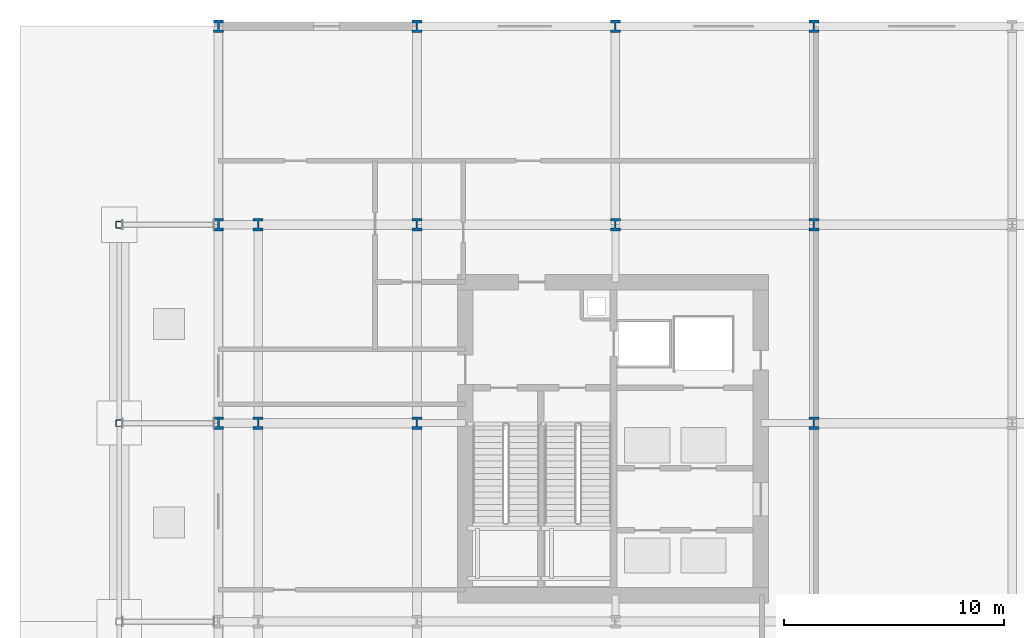
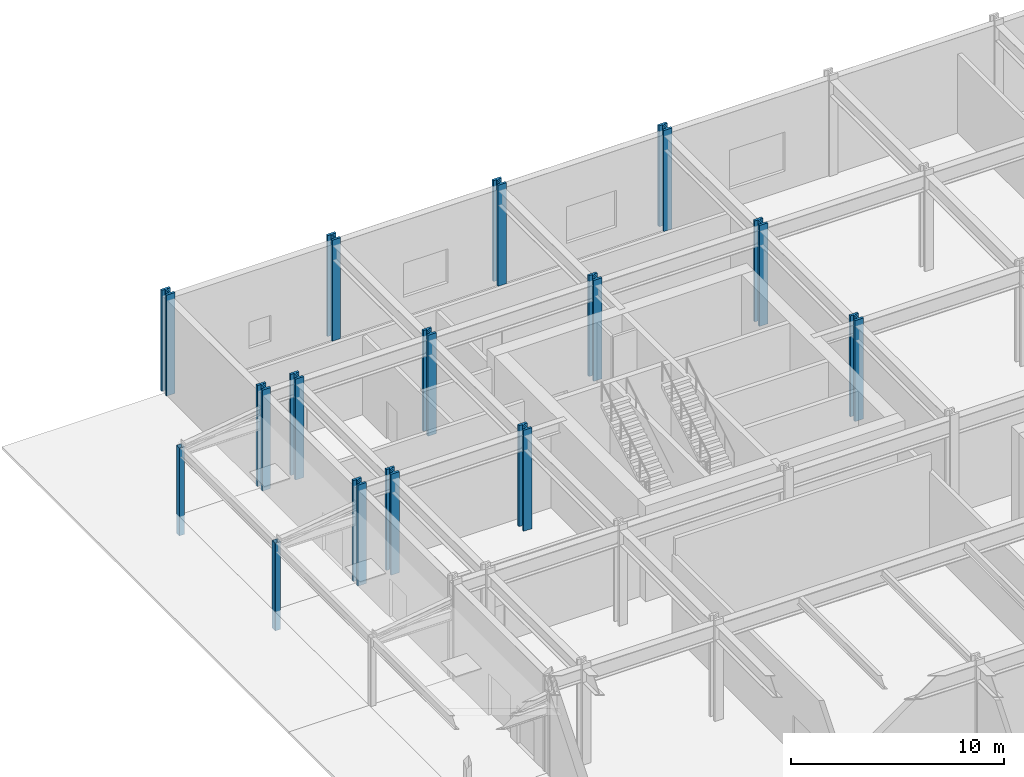
# One storey, part 4 of 19: 15 columns.
"""IFC4 building model written with IfcOpenShell, lengths in metres."""

from ifc_helpers import new_model, si_unit, direction, frame, origin, origin_2d, place, context, subcontext, project, spatial, hollow_rectangle, i_section, extrude, material, material_profile, profile_set, type_object, element, save


model = new_model("IFC4")

# Units and contexts
model_context = context("Model", 3, precision=1e-05, world=origin(), true_north=direction((0.0, 1.0)))
body_context = subcontext(model_context, "Body", "Model", "MODEL_VIEW")
ifc_project = project(units=[si_unit("LENGTHUNIT", "METRE"), si_unit("AREAUNIT", "SQUARE_METRE"), si_unit("VOLUMEUNIT", "CUBIC_METRE"), si_unit("PLANEANGLEUNIT", "RADIAN"), si_unit("MASSUNIT", "GRAM", prefix="KILO")], contexts=[model_context])

# Site, building, storey
site_placement = place(None, origin())
site = spatial("IfcSite", under=ifc_project, at=site_placement, CompositionType="ELEMENT")
building_placement = place(site_placement, origin())
building = spatial("IfcBuilding", under=site, at=building_placement, Name="Solvaryn Broadcast Tower", CompositionType="ELEMENT")
storey_placement = place(building_placement, origin())
storey = spatial("IfcBuildingStorey", under=building, at=storey_placement, Name="L00", CompositionType="ELEMENT", Elevation=0.0)

# Columns
ifc_material_1 = material(Name="Steel ASTM A913 Grade 65", Category="steel")
ifc_material_profile_1 = material_profile(ifc_material_1, i_section(OverallWidth=0.4541015625, OverallDepth=0.569091796875, WebThickness=0.077880859375, FlangeThickness=0.124755859375, FilletRadius=0.014892578125, at=origin_2d()))
ifc_profile_set_1 = profile_set([ifc_material_profile_1], Name="Steel ASTM A913 Grade 65")
column_type_1 = type_object("IfcColumnType", Name="COL-C01E-W14X730", PredefinedType="COLUMN", material=ifc_profile_set_1)
for number, where, z_axis, x_axis, name in (
    (1, (0.0, 36.0, 0.0), (0.0, 0.0, 1.0), (1.0, 0.0, 0.0), "L00 Column (0.0, 36.0)"),
    (2, (0.0, 45.0, 0.0), (0.0, 0.0, 1.0), (1.0, 0.0, 0.0), "L00 Column (0.0, 45.0)"),
    (3, (0.0, 54.0, 0.0), (0.0, 0.0, 1.0), (1.0, 0.0, 0.0), "L00 Column (0.0, 54.0)"),
    (4, (9.0, 54.0, 0.0), (0.0, 0.0, 1.0), (1.0, 0.0, 0.0), "L00 Column (9.0, 54.0)"),
    (5, (18.0, 54.0, 0.0), (0.0, 0.0, 1.0), (1.0, 0.0, 0.0), "L00 Column (18.0, 54.0)"),
    (6, (27.0, 54.0, 0.0), (0.0, 0.0, 1.0), (1.0, 0.0, 0.0), "L00 Column (27.0, 54.0)"),
    (7, (1.800048828125, 36.0, 0.0), (0.0, 0.0, 1.0), (1.0, 0.0, 0.0), "L00 Column (1.8, 36.0)"),
    (8, (1.800048828125, 45.0, 0.0), (0.0, 0.0, 1.0), (1.0, 0.0, 0.0), "L00 Column (1.8, 45.0)"),
):
    element("IfcColumn", number, at=place(storey_placement, frame(where, z_axis=z_axis, x_axis=x_axis)), inside=storey, type_object=column_type_1, Name=name, PredefinedType="COLUMN", context=body_context, shape_type="SweptSolid", body=[
        extrude(i_section(OverallWidth=0.4541015625, OverallDepth=0.569091796875, WebThickness=0.077880859375, FlangeThickness=0.124755859375, FilletRadius=0.014892578125, at=origin_2d()), origin(), (0.0, 0.0, 1.0), 5.800048828125),
    ])
ifc_material_2 = material(Name="Steel ASTM A913 Grade 65", Category="steel")
ifc_material_profile_2 = material_profile(ifc_material_2, i_section(OverallWidth=0.4541015625, OverallDepth=0.569091796875, WebThickness=0.077880859375, FlangeThickness=0.124755859375, FilletRadius=0.014892578125, at=origin_2d()))
ifc_profile_set_2 = profile_set([ifc_material_profile_2], Name="Steel ASTM A913 Grade 65")
column_type_2 = type_object("IfcColumnType", Name="COL-C01I-W14X730", PredefinedType="COLUMN", material=ifc_profile_set_2)
for number, where, z_axis, x_axis, name in (
    (9, (9.0, 36.0, 0.0), (0.0, 0.0, 1.0), (1.0, 0.0, 0.0), "L00 Column (9.0, 36.0)"),
    (10, (9.0, 45.0, 0.0), (0.0, 0.0, 1.0), (1.0, 0.0, 0.0), "L00 Column (9.0, 45.0)"),
    (11, (18.0, 45.0, 0.0), (0.0, 0.0, 1.0), (1.0, 0.0, 0.0), "L00 Column (18.0, 45.0)"),
    (12, (27.0, 36.0, 0.0), (0.0, 0.0, 1.0), (1.0, 0.0, 0.0), "L00 Column (27.0, 36.0)"),
    (13, (27.0, 45.0, 0.0), (0.0, 0.0, 1.0), (1.0, 0.0, 0.0), "L00 Column (27.0, 45.0)"),
):
    element("IfcColumn", number, at=place(storey_placement, frame(where, z_axis=z_axis, x_axis=x_axis)), inside=storey, type_object=column_type_2, Name=name, PredefinedType="COLUMN", context=body_context, shape_type="SweptSolid", body=[
        extrude(i_section(OverallWidth=0.4541015625, OverallDepth=0.569091796875, WebThickness=0.077880859375, FlangeThickness=0.124755859375, FilletRadius=0.014892578125, at=origin_2d()), origin(), (0.0, 0.0, 1.0), 5.800048828125),
    ])
ifc_material_3 = material(Name="Steel ASTM A500 Grade C", Category="steel")
ifc_material_profile_3 = material_profile(ifc_material_3, hollow_rectangle(XDim=0.300048828125, YDim=0.300048828125, WallThickness=0.01416015625, InnerFilletRadius=0.01416015625, OuterFilletRadius=0.0283203125, at=origin_2d()))
ifc_profile_set_3 = profile_set([ifc_material_profile_3], Name="Steel ASTM A500 Grade C")
column_type_3 = type_object("IfcColumnType", Name="COL-CANOPY-HSS", PredefinedType="COLUMN", material=ifc_profile_set_3)
for number, where, z_axis, x_axis, name in (
    (14, (-4.5, 36.0, -1.10009765625), (0.0, 0.0, 1.0), (1.0, 0.0, 0.0), "West Canopy Column 4"),
    (15, (-4.5, 45.0, -1.10009765625), (0.0, 0.0, 1.0), (1.0, 0.0, 0.0), "West Canopy Column 5"),
):
    element("IfcColumn", number, at=place(storey_placement, frame(where, z_axis=z_axis, x_axis=x_axis)), inside=storey, type_object=column_type_3, Name=name, PredefinedType="COLUMN", context=body_context, shape_type="SweptSolid", body=[
        extrude(hollow_rectangle(XDim=0.300048828125, YDim=0.300048828125, WallThickness=0.01416015625, InnerFilletRadius=0.01416015625, OuterFilletRadius=0.0283203125, at=origin_2d()), origin(), (0.0, 0.0, 1.0), 5.030029296875),
    ])

save(model, "model.ifc")
